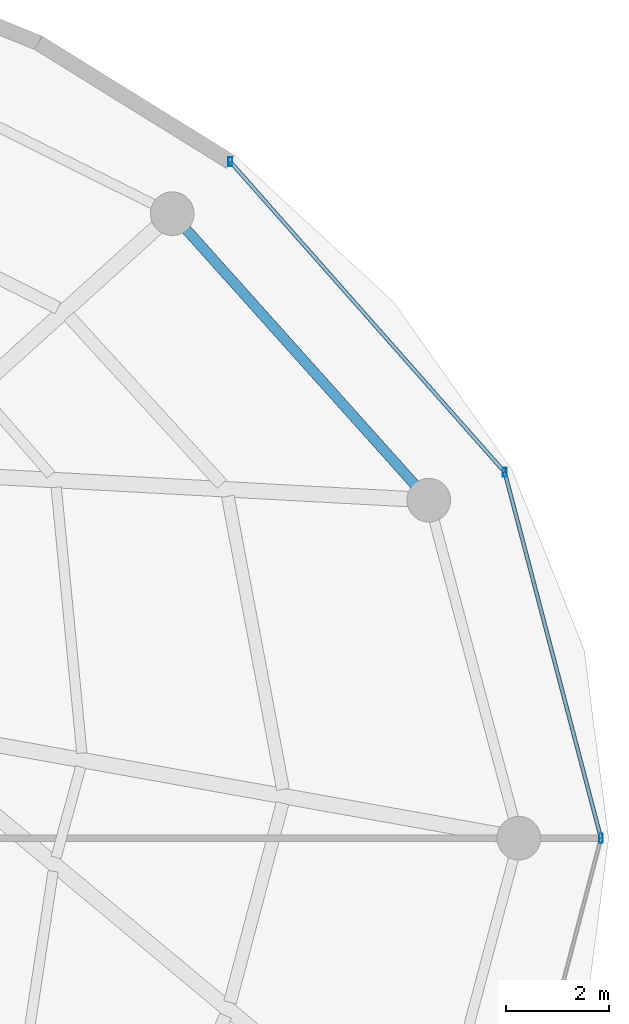
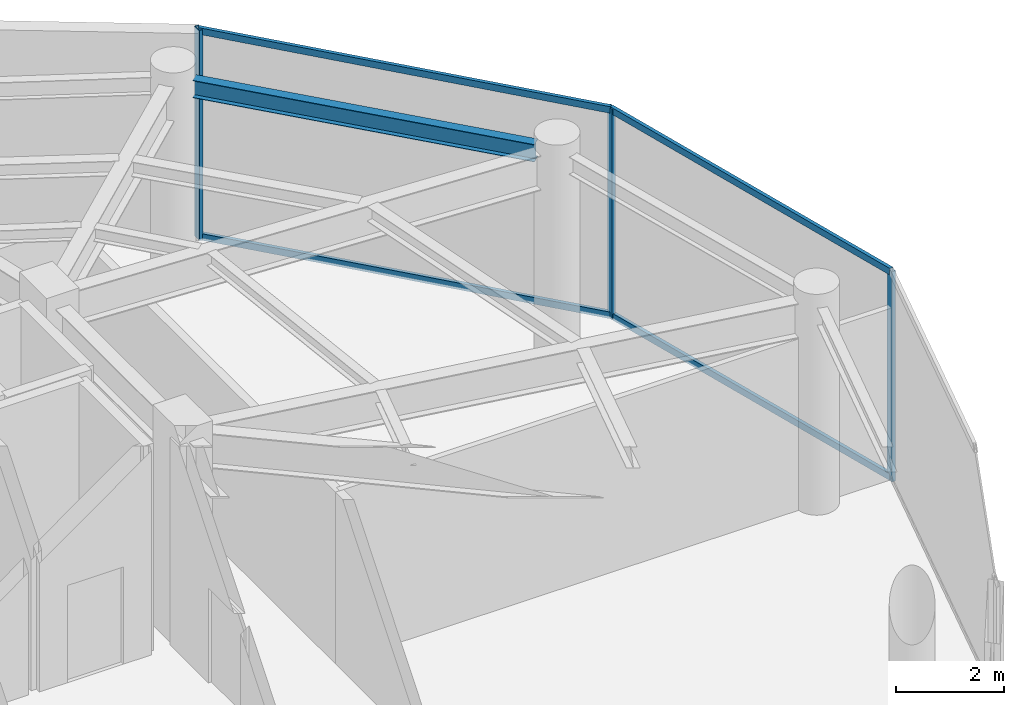
# One storey, part 15 of 24: 7 members, 1 beam, 1 element without a shape of its own.
"""IFC4 building model written with IfcOpenShell, lengths in metres."""

import ifcopenshell
import ifcopenshell.guid

model = None  # the IFC model being written
_history = None  # IfcOwnerHistory: only IFC2X3 demands one
_inside = {}  # id of a spatial element -> (the spatial element, [elements in it])
_under = {}  # id of a project, library or spatial element -> (it, [spatial elements below it])
_declared = {}  # id of a project -> (the project, [libraries it declares])
_typed = {}  # id of a type object -> (the type object, [elements of that type])
_made_of = {}  # id of a material, layer set ... -> (it, [elements and type objects made of it])


def new_model(schema):
    """Start an empty IFC model of exactly this schema.

    Asked for "IFC4X3", IfcOpenShell would pick the latest addendum, in which some entities
    have other attributes; the version numbers below select the first issue.
    IFC2X3 requires an IfcOwnerHistory on every rooted entity: one is made here for all.
    """
    global model, _history
    if schema == "IFC4X3":
        model = ifcopenshell.file(schema_version=(4, 3, 0, 0))
    else:
        model = ifcopenshell.file(schema=schema)
    _inside.clear()
    _under.clear()
    _declared.clear()
    _typed.clear()
    _made_of.clear()
    _history = None
    if model.schema == "IFC2X3":
        org = make("IfcOrganization", Name="unknown")
        user = make(
            "IfcPersonAndOrganization",
            ThePerson=make("IfcPerson", FamilyName="unknown"),
            TheOrganization=org,
        )
        app = make(
            "IfcApplication",
            ApplicationDeveloper=org,
            Version="unknown",
            ApplicationFullName="unknown",
            ApplicationIdentifier="unknown",
        )
        _history = make(
            "IfcOwnerHistory",
            OwningUser=user,
            OwningApplication=app,
            ChangeAction="ADDED",
            CreationDate=0,
        )
    return model


def make(cls, **values):
    """One entity of the class cls with the attributes given. An attribute that is None is left unset."""
    return model.create_entity(
        cls, **{name: value for name, value in values.items() if value is not None}
    )


def rooted(cls, **values):
    """An entity with a GlobalId (a new one), such as an element, a storey or a relation."""
    return make(cls, GlobalId=ifcopenshell.guid.new(), OwnerHistory=_history, **values)


def si_unit(unit_type, name, prefix=None):
    """IfcSIUnit, for example si_unit("LENGTHUNIT", "METRE", prefix="MILLI")."""
    return make("IfcSIUnit", UnitType=unit_type, Prefix=prefix, Name=name)


def assignment(units):
    """IfcUnitAssignment: the units of a project."""
    return None if units is None else make("IfcUnitAssignment", Units=units)


def point(xyz):
    """IfcCartesianPoint."""
    return None if xyz is None else make("IfcCartesianPoint", Coordinates=xyz)


def direction(xyz):
    """IfcDirection."""
    return None if xyz is None else make("IfcDirection", DirectionRatios=xyz)


def frame(location, z_axis=None, x_axis=None):
    """IfcAxis2Placement3D, a coordinate frame: its origin and axes. An axis left out is left unset."""
    return make(
        "IfcAxis2Placement3D",
        Location=point(location),
        Axis=direction(z_axis),
        RefDirection=direction(x_axis),
    )


def frame_2d(location, x_axis=None):
    """IfcAxis2Placement2D, a coordinate frame in the plane: its origin and x axis."""
    return make(
        "IfcAxis2Placement2D", Location=point(location), RefDirection=direction(x_axis)
    )


def origin():
    """The frame at (0, 0, 0) with its axes left unset."""
    return frame((0.0, 0.0, 0.0))


def origin_2d():
    """The frame at (0, 0) in the plane with its x axis left unset."""
    return frame_2d((0.0, 0.0))


def place(relative_to, where):
    """IfcLocalPlacement: puts the frame where relative to a parent placement (None: the world)."""
    return make(
        "IfcLocalPlacement", PlacementRelTo=relative_to, RelativePlacement=where
    )


def context(
    kind, dimensions, precision=None, world=None, true_north=None, identifier=None
):
    """IfcGeometricRepresentationContext, for example the 3D "Model" context."""
    return make(
        "IfcGeometricRepresentationContext",
        ContextIdentifier=identifier,
        ContextType=kind,
        CoordinateSpaceDimension=dimensions,
        Precision=precision,
        WorldCoordinateSystem=world,
        TrueNorth=true_north,
    )


def subcontext(parent, identifier, kind, view, scale=None):
    """IfcGeometricRepresentationSubContext, for example "Body" below "Model"."""
    return make(
        "IfcGeometricRepresentationSubContext",
        ContextIdentifier=identifier,
        ContextType=kind,
        ParentContext=parent,
        TargetScale=scale,
        TargetView=view,
    )


def project(units=None, contexts=None):
    """IfcProject with its units and contexts."""
    return rooted(
        "IfcProject",
        Name="project",
        RepresentationContexts=contexts,
        UnitsInContext=assignment(units),
    )


def spatial(cls, under=None, at=None, **own):
    """A site, building, storey or space (cls), placed at a placement, below another one or the project."""
    s = rooted(cls, ObjectPlacement=at, **own)
    if under is not None:
        _under.setdefault(under.id(), (under, []))[1].append(s)
    return s


def profile(cls, at=None, kind="AREA", **sizes):
    """A parametric profile (cls). Its sizes go by their IFC names, for example OverallWidth=200.0."""
    return make(cls, ProfileType=kind, Position=at, **sizes)


def hollow_rectangle(**sizes):
    """IfcRectangleHollowProfileDef."""
    return profile("IfcRectangleHollowProfileDef", **sizes)


def i_section(**sizes):
    """IfcIShapeProfileDef."""
    return profile("IfcIShapeProfileDef", **sizes)


def extrude(swept, where, along, depth):
    """IfcExtrudedAreaSolid: the profile swept, set in the frame where, extruded along a direction by depth."""
    return make(
        "IfcExtrudedAreaSolid",
        SweptArea=swept,
        Position=where,
        ExtrudedDirection=direction(along),
        Depth=depth,
    )


def shape(context_of_items, identifier, shape_type, items):
    """IfcShapeRepresentation: the items that make up one representation, for example the "Body"."""
    return make(
        "IfcShapeRepresentation",
        ContextOfItems=context_of_items,
        RepresentationIdentifier=identifier,
        RepresentationType=shape_type,
        Items=items,
    )


def material(Name=None, Category=None):
    """IfcMaterial."""
    return make("IfcMaterial", Name=Name, Category=Category)


def material_profile(
    of_material, cross_section, Name=None, Category=None, Priority=None
):
    """IfcMaterialProfile: a cross section and its material."""
    return make(
        "IfcMaterialProfile",
        Name=Name,
        Material=of_material,
        Profile=cross_section,
        Priority=Priority,
        Category=Category,
    )


def profile_set(profiles, Name=None, composite=None):
    """IfcMaterialProfileSet."""
    return make(
        "IfcMaterialProfileSet",
        Name=Name,
        MaterialProfiles=profiles,
        CompositeProfile=composite,
    )


def made_of(thing, what):
    """Note that an element or type object is made of a material, layer set ...; save() writes the relation."""
    if what is not None:
        _made_of.setdefault(what.id(), (what, []))[1].append(thing)
    return thing


def type_object(cls, material=None, **own):
    """A type object (cls), such as IfcWallType, which elements share."""
    return made_of(rooted(cls, **own), material)


def element(
    cls,
    number,
    at=None,
    inside=None,
    cuts=None,
    type_object=None,
    material=None,
    context=None,
    identifier="Body",
    shape_type=None,
    held_by="IfcProductDefinitionShape",
    body=None,
    shapes=None,
    **own,
):
    """One element of the class cls, such as IfcWall. Its Tag is "e" and its number.

    at: its placement. inside: the storey or other place that contains it. cuts: it is an
    opening in that element (IfcRelVoidsElement). A single representation is given by context,
    identifier, shape_type and body (its items); several are given by shapes. held_by: the class
    of the entity that holds the representations. save() writes the other relations.
    """
    e = rooted(cls, Tag="e%d" % number, ObjectPlacement=at, **own)
    if body is not None:
        shapes = [shape(context, identifier, shape_type, body)]
    if shapes is not None:
        e.Representation = make(held_by, Representations=shapes)
    if inside is not None:
        _inside.setdefault(inside.id(), (inside, []))[1].append(e)
    if cuts is not None:
        rooted(
            "IfcRelVoidsElement", RelatingBuildingElement=cuts, RelatedOpeningElement=e
        )
    if type_object is not None:
        _typed.setdefault(type_object.id(), (type_object, []))[1].append(e)
    return made_of(e, material)


def aggregate(whole, parts):
    """IfcRelAggregates: a whole, such as a stair, and the parts it consists of."""
    return rooted("IfcRelAggregates", RelatingObject=whole, RelatedObjects=parts)


def save(model, path):
    """Write the relations noted so far, then the file.

    IfcRelAggregates (storeys below a building ...), IfcRelContainedInSpatialStructure (elements
    in a storey), IfcRelDefinesByType, IfcRelAssociatesMaterial and IfcRelDeclares: one each for
    every whole, place, type object, material and project.
    """
    for whole, parts in _under.values():
        aggregate(whole, parts)
    for where, things in _inside.values():
        rooted(
            "IfcRelContainedInSpatialStructure",
            RelatedElements=things,
            RelatingStructure=where,
        )
    for kind, things in _typed.values():
        rooted("IfcRelDefinesByType", RelatedObjects=things, RelatingType=kind)
    for what, things in _made_of.values():
        rooted("IfcRelAssociatesMaterial", RelatedObjects=things, RelatingMaterial=what)
    for by, libraries in _declared.values():
        rooted("IfcRelDeclares", RelatingContext=by, RelatedDefinitions=libraries)
    model.write(path)


model = new_model("IFC4")

# Units and contexts
model_context = context("Model", 3, precision=1e-05, world=origin(), true_north=direction((0.0, 1.0)))
body_context = subcontext(model_context, "Body", "Model", "MODEL_VIEW")
ifc_project = project(units=[si_unit("LENGTHUNIT", "METRE"), si_unit("AREAUNIT", "SQUARE_METRE"), si_unit("VOLUMEUNIT", "CUBIC_METRE"), si_unit("PLANEANGLEUNIT", "RADIAN"), si_unit("MASSUNIT", "GRAM", prefix="KILO")], contexts=[model_context])

# Site, building, storey
site_placement = place(None, origin())
site = spatial("IfcSite", under=ifc_project, at=site_placement, CompositionType="ELEMENT")
building_placement = place(site_placement, origin())
building = spatial("IfcBuilding", under=site, at=building_placement, Name="Vorneva Point Tower", CompositionType="ELEMENT")
storey_placement = place(building_placement, frame((0.0, 0.0, 285.39990234375)))
storey = spatial("IfcBuildingStorey", under=building, at=storey_placement, Name="L77", CompositionType="ELEMENT", Elevation=285.39990234375)

# Beam
ifc_material_1 = material(Name="Steel S355", Category="steel")
ifc_material_profile_1 = material_profile(ifc_material_1, i_section(OverallWidth=0.198974609375, OverallDepth=0.39599609375, WebThickness=0.007080078125, FlangeThickness=0.010986328125, at=origin_2d()), Name="40B1")
ifc_profile_set_1 = profile_set([ifc_material_profile_1], Name="Steel S355")
beam_type = type_object("IfcBeamType", Name="BM-SPN-40B1", PredefinedType="SPANDREL", material=ifc_profile_set_1)
beam_placement = place(storey_placement, frame((59.02197265625, 32.8876953125, 4.4921875), z_axis=(-0.667108282638, 0.744960763554, 0.0), x_axis=(-0.744960763554, -0.667108282638, 0.0)))
element("IfcBeam", 1, at=beam_placement, inside=storey, type_object=beam_type, Name="L77 Perimeter Spandrel Ring Beam 02", PredefinedType="SPANDREL", context=body_context, shape_type="SweptSolid", body=[
    extrude(i_section(OverallWidth=0.198974609375, OverallDepth=0.39599609375, WebThickness=0.007080078125, FlangeThickness=0.010986328125, at=origin_2d()), origin(), (0.0, 0.0, 1.0), 6.670166015625),
])

# Curtain wall, members
ifc_material_2 = material(Name="Pale anodised aluminium", Category="aluminium")
curtain_wall_type = type_object("IfcCurtainWallType", Name="CW-OBS-SYS", PredefinedType="NOTDEFINED", material=ifc_material_2)
curtain_wall_placement = place(storey_placement, origin())
curtain_wall = element("IfcCurtainWall", 2, at=curtain_wall_placement, inside=storey, type_object=curtain_wall_type, Name="L77 Unitised Curtain Wall CW-L77-R01", PredefinedType="NOTDEFINED")
ifc_material_profile_2 = material_profile(ifc_material_2, hollow_rectangle(XDim=0.074951171875, YDim=0.179931640625, WallThickness=0.00390625, at=origin_2d()), Name="AL-MUL 180x75x4")
ifc_profile_set_2 = profile_set([ifc_material_profile_2], Name="Pale anodised aluminium")
member_type_1 = type_object("IfcMemberType", Name="CW-MUL-180", PredefinedType="MULLION", material=ifc_profile_set_2)
member_1_placement = place(storey_placement, frame((62.64990234375, 26.0, -0.039794921875), z_axis=(0.0, 0.0, 1.0), x_axis=(1.0, 0.0, 0.0)))
member_1 = element("IfcMember", 3, at=member_1_placement, type_object=member_type_1, Name="CW-L77-R01 Mullion 02", PredefinedType="MULLION", context=body_context, shape_type="SweptSolid", body=[
    extrude(hollow_rectangle(XDim=0.074951171875, YDim=0.179931640625, WallThickness=0.00390625, at=origin_2d()), origin(), (0.0, 0.0, 1.0), 4.760009765625),
])
member_2_placement = place(storey_placement, frame((60.773681640625, 33.12939453125, -0.039794921875), z_axis=(0.0, 0.0, 1.0), x_axis=(1.0, 0.0, 0.0)))
member_2 = element("IfcMember", 4, at=member_2_placement, type_object=member_type_1, Name="CW-L77-R01 Mullion 03", PredefinedType="MULLION", context=body_context, shape_type="SweptSolid", body=[
    extrude(hollow_rectangle(XDim=0.074951171875, YDim=0.179931640625, WallThickness=0.00390625, at=origin_2d()), origin(), (0.0, 0.0, 1.0), 4.760009765625),
])
member_3_placement = place(storey_placement, frame((55.43017578125, 39.17333984375, -0.039794921875), z_axis=(0.0, 0.0, 1.0), x_axis=(1.0, 0.0, 0.0)))
member_3 = element("IfcMember", 5, at=member_3_placement, type_object=member_type_1, Name="CW-L77-R01 Mullion 04", PredefinedType="MULLION", context=body_context, shape_type="SweptSolid", body=[
    extrude(hollow_rectangle(XDim=0.074951171875, YDim=0.179931640625, WallThickness=0.00390625, at=origin_2d()), origin(), (0.0, 0.0, 1.0), 4.760009765625),
])
ifc_material_profile_3 = material_profile(ifc_material_2, hollow_rectangle(XDim=0.074951171875, YDim=0.14990234375, WallThickness=0.00390625, at=origin_2d()), Name="AL-TRN 150x75x4")
ifc_profile_set_3 = profile_set([ifc_material_profile_3], Name="Pale anodised aluminium")
member_type_2 = type_object("IfcMemberType", Name="CW-TRN-150", PredefinedType="USERDEFINED", material=ifc_profile_set_3)
member_4_placement = place(storey_placement, frame((62.64990234375, 26.0, 0.02001953125), z_axis=(-0.254501449741, 0.967072392368, 0.0), x_axis=(-0.967072392368, -0.254501449741, 0.0)))
member_4 = element("IfcMember", 6, at=member_4_placement, type_object=member_type_2, Name="CW-L77-R01 Transom 02.1", ObjectType="TRANSOM", PredefinedType="USERDEFINED", context=body_context, shape_type="SweptSolid", body=[
    extrude(hollow_rectangle(XDim=0.074951171875, YDim=0.14990234375, WallThickness=0.00390625, at=origin_2d()), origin(), (0.0, 0.0, 1.0), 7.3720703125),
])
member_5_placement = place(storey_placement, frame((62.64990234375, 26.0, 4.670166015625), z_axis=(-0.254501449741, 0.967072392368, 0.0), x_axis=(-0.967072392368, -0.254501449741, 0.0)))
member_5 = element("IfcMember", 7, at=member_5_placement, type_object=member_type_2, Name="CW-L77-R01 Transom 02.2", ObjectType="TRANSOM", PredefinedType="USERDEFINED", context=body_context, shape_type="SweptSolid", body=[
    extrude(hollow_rectangle(XDim=0.074951171875, YDim=0.14990234375, WallThickness=0.00390625, at=origin_2d()), origin(), (0.0, 0.0, 1.0), 7.3720703125),
])
member_6_placement = place(storey_placement, frame((60.773681640625, 33.12939453125, 0.02001953125), z_axis=(-0.66236098645, 0.749184839428, 0.0), x_axis=(-0.749184839428, -0.66236098645, 0.0)))
member_6 = element("IfcMember", 8, at=member_6_placement, type_object=member_type_2, Name="CW-L77-R01 Transom 03.1", ObjectType="TRANSOM", PredefinedType="USERDEFINED", context=body_context, shape_type="SweptSolid", body=[
    extrude(hollow_rectangle(XDim=0.074951171875, YDim=0.14990234375, WallThickness=0.00390625, at=origin_2d()), origin(), (0.0, 0.0, 1.0), 8.0673828125),
])
member_7_placement = place(storey_placement, frame((60.773681640625, 33.12939453125, 4.670166015625), z_axis=(-0.66236098645, 0.749184839428, 0.0), x_axis=(-0.749184839428, -0.66236098645, 0.0)))
member_7 = element("IfcMember", 9, at=member_7_placement, type_object=member_type_2, Name="CW-L77-R01 Transom 03.2", ObjectType="TRANSOM", PredefinedType="USERDEFINED", context=body_context, shape_type="SweptSolid", body=[
    extrude(hollow_rectangle(XDim=0.074951171875, YDim=0.14990234375, WallThickness=0.00390625, at=origin_2d()), origin(), (0.0, 0.0, 1.0), 8.0673828125),
])
aggregate(curtain_wall, [member_1, member_2, member_3, member_4, member_5, member_6, member_7])

save(model, "model.ifc")
